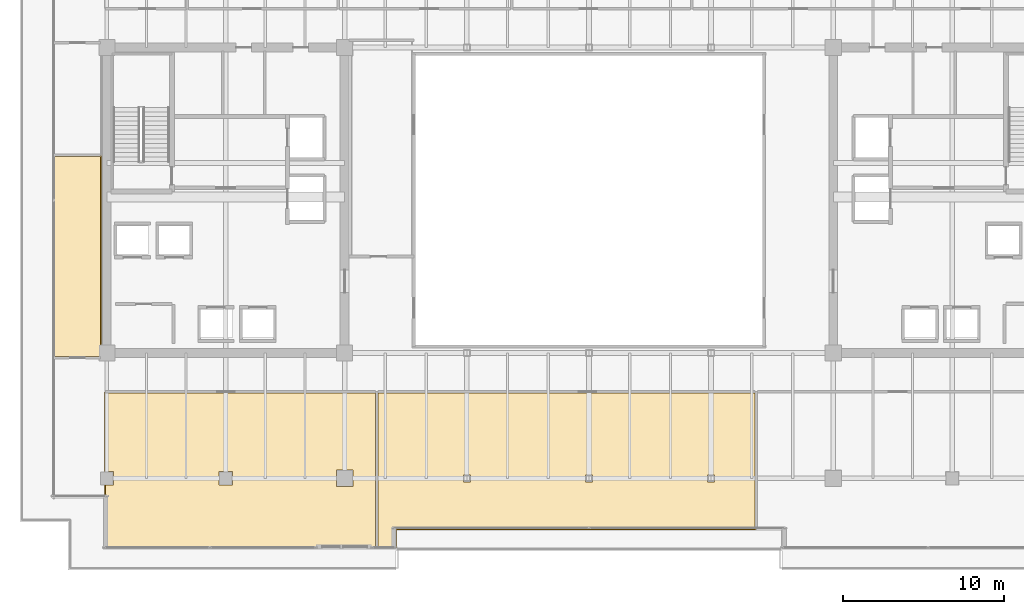
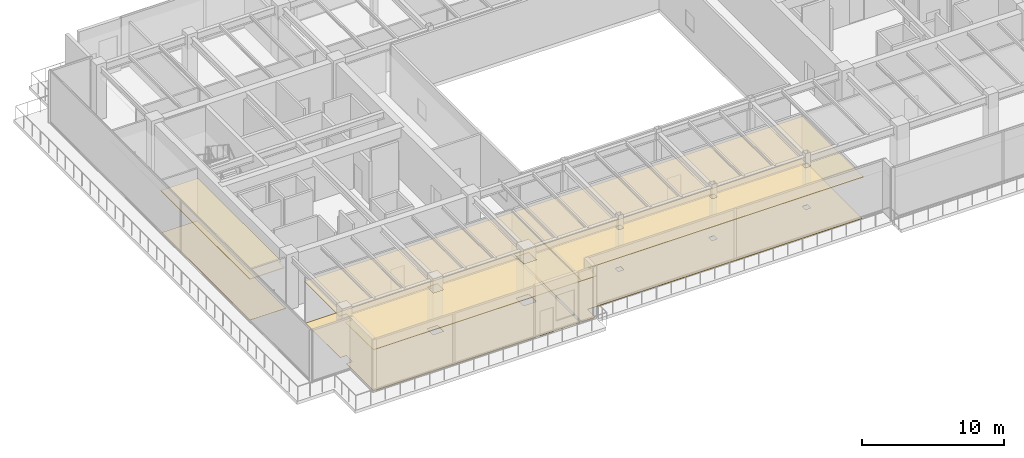
# One storey, part 32 of 37: 6 coverings.
"""IFC4 building model written with IfcOpenShell, lengths in metres."""

from ifc_helpers import new_model, si_unit, direction, frame, origin, place, context, subcontext, project, spatial, polyline, outline, extrude, material, layer, layer_set, type_object, element, save


model = new_model("IFC4")

# Units and contexts
model_context = context("Model", 3, precision=1e-05, world=origin(), true_north=direction((0.0, 1.0)))
body_context = subcontext(model_context, "Body", "Model", "MODEL_VIEW")
ifc_project = project(units=[si_unit("LENGTHUNIT", "METRE"), si_unit("AREAUNIT", "SQUARE_METRE"), si_unit("VOLUMEUNIT", "CUBIC_METRE"), si_unit("PLANEANGLEUNIT", "RADIAN"), si_unit("MASSUNIT", "GRAM", prefix="KILO")], contexts=[model_context])

# Site, building, storey
site_placement = place(None, origin())
site = spatial("IfcSite", under=ifc_project, at=site_placement, CompositionType="ELEMENT")
building_placement = place(site_placement, origin())
building = spatial("IfcBuilding", under=site, at=building_placement, Name="Haelvirn Gate Laboratories", CompositionType="ELEMENT")
storey_placement = place(building_placement, frame((0.0, 0.0, 196.60009765625)))
storey = spatial("IfcBuildingStorey", under=building, at=storey_placement, Name="L47", CompositionType="ELEMENT", Elevation=196.60009765625)

# Coverings
ifc_material_1 = material(Name="Washable cleanroom gasketed aluminium ceiling", Category="aluminium")
ifc_layer_1 = layer(ifc_material_1, 0.050048828125, Name="COV-CEIL-CLN")
ifc_layer_set_1 = layer_set([ifc_layer_1], Name="Washable cleanroom gasketed aluminium ceiling")
covering_type_1 = type_object("IfcCoveringType", Name="COV-CEIL-CLN", PredefinedType="CEILING", material=ifc_layer_set_1)
covering_1_placement = place(storey_placement, frame((0.0, 0.0, 3.56982421875)))
element("IfcCovering", 1, at=covering_1_placement, inside=storey, type_object=covering_type_1, Name="L47 Laboratory Acoustic Ceiling CEIL-SP-L47-S-01", PredefinedType="CEILING", context=body_context, shape_type="SweptSolid", body=[
    extrude(outline(polyline([(7.25, 12.3798828125), (24.179931640625, 12.3798828125), (24.179931640625, 2.64990234375), (7.25, 2.64990234375), (7.25, 6.580078125), (7.820068359375, 6.580078125), (7.820068359375, 7.419921875), (7.25, 7.419921875), (7.25, 12.3798828125)]), holes=[polyline([(14.3798828125, 6.580078125), (15.219970703125, 6.580078125), (15.219970703125, 7.419921875), (14.3798828125, 7.419921875), (14.3798828125, 6.580078125)]), polyline([(21.679931640625, 7.52001953125), (21.679931640625, 6.47998046875), (22.719970703125, 6.47998046875), (22.719970703125, 7.52001953125), (21.679931640625, 7.52001953125)])]), origin(), (0.0, 0.0, 1.0), 0.050048828125),
])
covering_2_placement = place(storey_placement, frame((0.0, 0.0, 3.56982421875)))
element("IfcCovering", 2, at=covering_2_placement, inside=storey, type_object=covering_type_1, Name="L47 Laboratory Acoustic Ceiling CEIL-SP-L47-S-02", PredefinedType="CEILING", context=body_context, shape_type="SweptSolid", body=[
    extrude(outline(polyline([(24.219970703125, 12.3798828125), (47.780029296875, 12.3798828125), (47.780029296875, 3.780029296875), (25.419921875, 3.780029296875), (25.419921875, 2.64990234375), (24.219970703125, 2.64990234375), (24.219970703125, 12.3798828125)]), holes=[polyline([(29.580078125, 6.780029296875), (30.02001953125, 6.780029296875), (30.02001953125, 7.219970703125), (29.580078125, 7.219970703125), (29.580078125, 6.780029296875)]), polyline([(37.179931640625, 7.219970703125), (37.179931640625, 6.780029296875), (37.6201171875, 6.780029296875), (37.6201171875, 7.219970703125), (37.179931640625, 7.219970703125)]), polyline([(45.219970703125, 7.219970703125), (44.780029296875, 7.219970703125), (44.780029296875, 6.780029296875), (45.219970703125, 6.780029296875), (45.219970703125, 7.219970703125)])]), origin(), (0.0, 0.0, 1.0), 0.050048828125),
])
covering_3_placement = place(storey_placement, frame((0.0, 0.0, 3.56982421875)))
element("IfcCovering", 3, at=covering_3_placement, inside=storey, type_object=covering_type_1, Name="L47 Laboratory Acoustic Ceiling CEIL-SP-L47-WZ3-S", PredefinedType="CEILING", context=body_context, shape_type="SweptSolid", body=[
    extrude(outline(polyline([(7.080078125, 27.090087890625), (7.080078125, 15.320068359375), (6.8798828125, 15.320068359375), (6.8798828125, 14.52490234375), (4.050048828125, 14.52490234375), (4.050048828125, 27.090087890625), (7.080078125, 27.090087890625)])), origin(), (0.0, 0.0, 1.0), 0.050048828125),
])
ifc_material_2 = material(Name="Honed granite concourse terrazzo flooring", Category="masonry")
ifc_layer_2 = layer(ifc_material_2, 0.02490234375, Name="COV-FLR-TERRA")
ifc_layer_set_2 = layer_set([ifc_layer_2], Name="Honed granite concourse terrazzo flooring")
covering_type_2 = type_object("IfcCoveringType", Name="COV-FLR-TERRA", PredefinedType="FLOORING", material=ifc_layer_set_2)
covering_4_placement = place(storey_placement, origin())
element("IfcCovering", 4, at=covering_4_placement, inside=storey, type_object=covering_type_2, Name="L47 Seamless Laboratory Flooring FLR-SP-L47-S-01", PredefinedType="FLOORING", context=body_context, shape_type="SweptSolid", body=[
    extrude(outline(polyline([(7.31005859375, 2.7099609375), (7.31005859375, 6.580078125), (7.820068359375, 6.580078125), (7.820068359375, 7.419921875), (7.31005859375, 7.419921875), (7.31005859375, 12.320068359375), (24.1201171875, 12.320068359375), (24.1201171875, 2.7099609375), (7.31005859375, 2.7099609375)]), holes=[polyline([(15.219970703125, 6.580078125), (15.219970703125, 7.419921875), (14.3798828125, 7.419921875), (14.3798828125, 6.580078125), (15.219970703125, 6.580078125)]), polyline([(21.679931640625, 6.47998046875), (22.719970703125, 6.47998046875), (22.719970703125, 7.52001953125), (21.679931640625, 7.52001953125), (21.679931640625, 6.47998046875)])]), origin(), (0.0, 0.0, 1.0), 0.02490234375),
])
covering_5_placement = place(storey_placement, origin())
element("IfcCovering", 5, at=covering_5_placement, inside=storey, type_object=covering_type_2, Name="L47 Seamless Laboratory Flooring FLR-SP-L47-S-02", PredefinedType="FLOORING", context=body_context, shape_type="SweptSolid", body=[
    extrude(outline(polyline([(25.39990234375, 3.840087890625), (25.39599609375, 3.83984375), (25.39208984375, 3.839111328125), (25.388427734375, 3.83837890625), (25.384765625, 3.8369140625), (25.381103515625, 3.835205078125), (25.377685546875, 3.833251953125), (25.37451171875, 3.830810546875), (25.37158203125, 3.828369140625), (25.369140625, 3.825439453125), (25.36669921875, 3.822265625), (25.36474609375, 3.81884765625), (25.363037109375, 3.815185546875), (25.36181640625, 3.8115234375), (25.36083984375, 3.807861328125), (25.360107421875, 3.803955078125), (25.360107421875, 3.800048828125), (25.360107421875, 2.7099609375), (24.280029296875, 2.7099609375), (24.280029296875, 12.320068359375), (47.719970703125, 12.320068359375), (47.719970703125, 3.840087890625), (25.39990234375, 3.840087890625)]), holes=[polyline([(30.02001953125, 6.780029296875), (30.02001953125, 7.219970703125), (29.580078125, 7.219970703125), (29.580078125, 6.780029296875), (30.02001953125, 6.780029296875)]), polyline([(37.179931640625, 6.780029296875), (37.6201171875, 6.780029296875), (37.6201171875, 7.219970703125), (37.179931640625, 7.219970703125), (37.179931640625, 6.780029296875)]), polyline([(44.780029296875, 7.219970703125), (44.780029296875, 6.780029296875), (45.219970703125, 6.780029296875), (45.219970703125, 7.219970703125), (44.780029296875, 7.219970703125)])]), origin(), (0.0, 0.0, 1.0), 0.02490234375),
])
covering_6_placement = place(storey_placement, origin())
element("IfcCovering", 6, at=covering_6_placement, inside=storey, type_object=covering_type_2, Name="L47 Seamless Laboratory Flooring FLR-SP-L47-WZ3-S", PredefinedType="FLOORING", context=body_context, shape_type="SweptSolid", body=[
    extrude(outline(polyline([(4.110107421875, 27.030029296875), (7.02001953125, 27.030029296875), (7.02001953125, 14.5849609375), (4.110107421875, 14.5849609375), (4.110107421875, 27.030029296875)])), origin(), (0.0, 0.0, 1.0), 0.02490234375),
])

save(model, "model.ifc")
